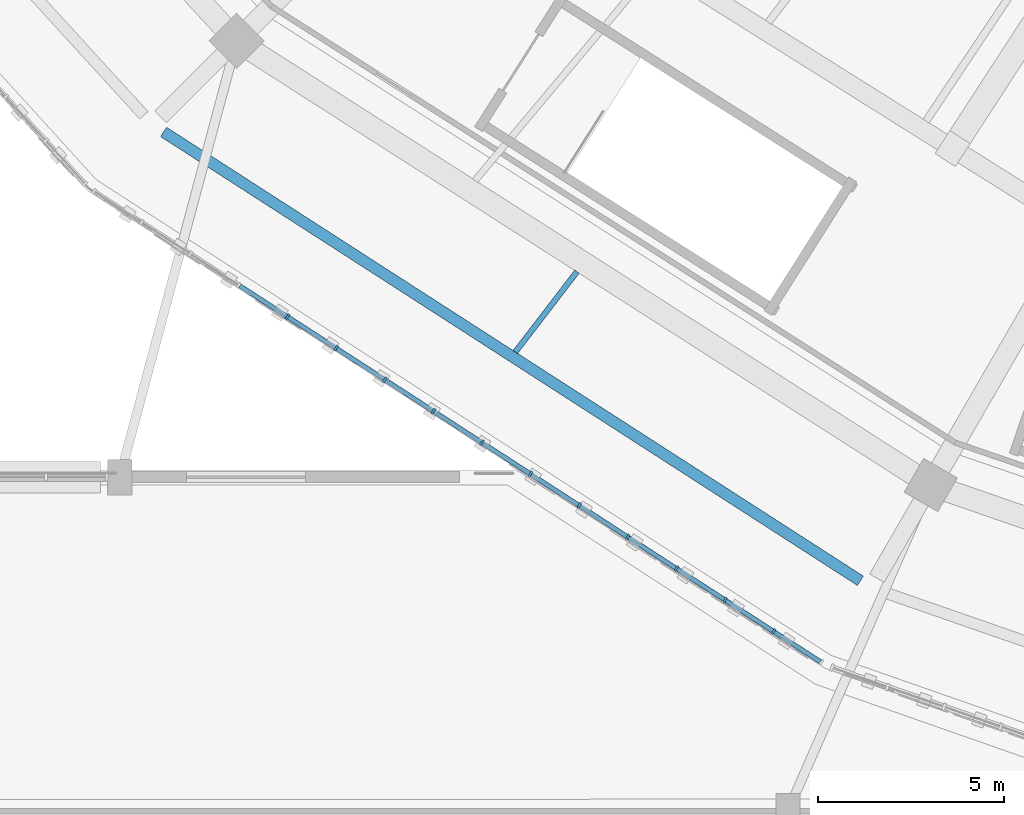
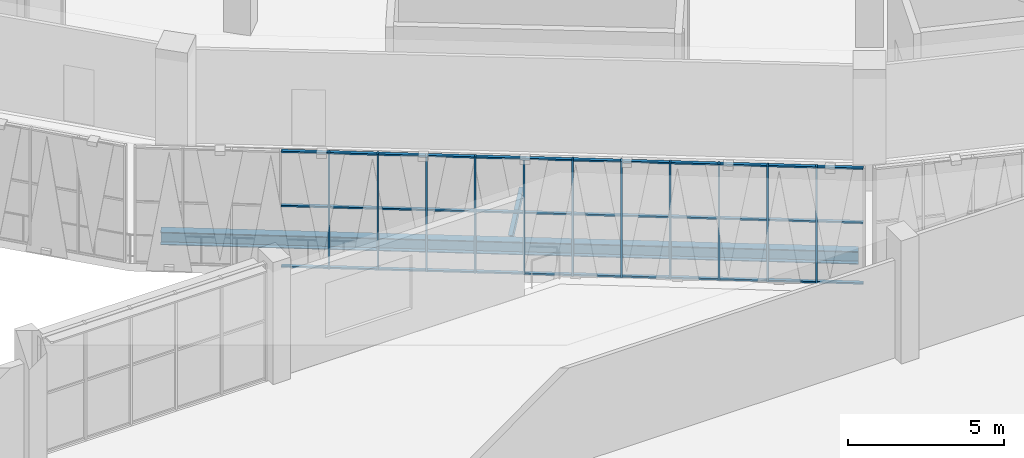
# One storey, part 6 of 152: 47 members, 2 beams, 1 element without a shape of its own.
"""IFC4 building model written with IfcOpenShell, lengths in metres."""

from ifc_helpers import new_model, si_unit, direction, frame, origin, origin_2d, place, context, subcontext, project, spatial, rectangle, i_section, extrude, material, material_profile, profile_set, type_object, element, aggregate, save


model = new_model("IFC4")

# Units and contexts
model_context = context("Model", 3, precision=1e-05, world=origin(), true_north=direction((0.0, 1.0)))
body_context = subcontext(model_context, "Body", "Model", "MODEL_VIEW")
ifc_project = project(units=[si_unit("LENGTHUNIT", "METRE"), si_unit("AREAUNIT", "SQUARE_METRE"), si_unit("VOLUMEUNIT", "CUBIC_METRE"), si_unit("PLANEANGLEUNIT", "RADIAN"), si_unit("MASSUNIT", "GRAM", prefix="KILO")], contexts=[model_context])

# Site, building, storey
site_placement = place(None, origin())
site = spatial("IfcSite", under=ifc_project, at=site_placement, CompositionType="ELEMENT")
building_placement = place(site_placement, origin())
building = spatial("IfcBuilding", under=site, at=building_placement, Name="Zevraka Park Crest Stadium", CompositionType="ELEMENT")
storey_placement = place(building_placement, frame((0.0, 0.0, 15.0)))
storey = spatial("IfcBuildingStorey", under=building, at=storey_placement, Name="L03", CompositionType="ELEMENT", Elevation=15.0)

# Curtain wall, members
ifc_material_1 = material(Name="Anodised architectural aluminium and laminated safety glass", Category="aluminium")
curtain_wall_type = type_object("IfcCurtainWallType", Name="CW13", PredefinedType="NOTDEFINED", material=ifc_material_1)
curtain_wall_placement = place(storey_placement, origin())
curtain_wall = element("IfcCurtainWall", 1, at=curtain_wall_placement, inside=storey, type_object=curtain_wall_type, Name="Unitised Ring Curtain Wall CW13 L03-15", PredefinedType="NOTDEFINED")
ifc_material_2 = material(Name="Anodised architectural aluminium", Category="aluminium")
ifc_material_profile_1 = material_profile(ifc_material_2, rectangle(XDim=0.159912109375, YDim=0.06005859375, at=origin_2d()), Name="ALU MULLION 160x60")
ifc_profile_set_1 = profile_set([ifc_material_profile_1], Name="Anodised architectural aluminium")
member_type_1 = type_object("IfcMemberType", Name="CM01", PredefinedType="MULLION", material=ifc_profile_set_1)
member_1_placement = place(storey_placement, frame((49.518310546875, 31.322998046875, 0.0), z_axis=(0.0, 0.0, 1.0), x_axis=(0.543469160232, 0.839429134517, 0.0)))
member_1 = element("IfcMember", 2, at=member_1_placement, type_object=member_type_1, Name="CW13 mullion 5", PredefinedType="MULLION", context=body_context, shape_type="SweptSolid", body=[
    extrude(rectangle(XDim=0.159912109375, YDim=0.06005859375, at=origin_2d()), origin(), (0.0, 0.0, 1.0), 4.5400390625),
])
member_2_placement = place(storey_placement, frame((50.827880859375, 30.47509765625, 0.0), z_axis=(0.0, 0.0, 1.0), x_axis=(0.543469160232, 0.839429134517, 0.0)))
member_2 = element("IfcMember", 3, at=member_2_placement, type_object=member_type_1, Name="CW13 mullion 6", PredefinedType="MULLION", context=body_context, shape_type="SweptSolid", body=[
    extrude(rectangle(XDim=0.159912109375, YDim=0.06005859375, at=origin_2d()), origin(), (0.0, 0.0, 1.0), 4.5400390625),
])
member_3_placement = place(storey_placement, frame((52.1376953125, 29.626953125, 0.0), z_axis=(0.0, 0.0, 1.0), x_axis=(0.543469160232, 0.839429134517, 0.0)))
member_3 = element("IfcMember", 4, at=member_3_placement, type_object=member_type_1, Name="CW13 mullion 7", PredefinedType="MULLION", context=body_context, shape_type="SweptSolid", body=[
    extrude(rectangle(XDim=0.159912109375, YDim=0.06005859375, at=origin_2d()), origin(), (0.0, 0.0, 1.0), 4.5400390625),
])
member_4_placement = place(storey_placement, frame((53.447509765625, 28.779052734375, 0.0), z_axis=(0.0, 0.0, 1.0), x_axis=(0.543469160232, 0.839429134517, 0.0)))
member_4 = element("IfcMember", 5, at=member_4_placement, type_object=member_type_1, Name="CW13 mullion 8", PredefinedType="MULLION", context=body_context, shape_type="SweptSolid", body=[
    extrude(rectangle(XDim=0.159912109375, YDim=0.06005859375, at=origin_2d()), origin(), (0.0, 0.0, 1.0), 4.5400390625),
])
member_5_placement = place(storey_placement, frame((54.75732421875, 27.930908203125, 0.0), z_axis=(0.0, 0.0, 1.0), x_axis=(0.543469160232, 0.839429134517, 0.0)))
member_5 = element("IfcMember", 6, at=member_5_placement, type_object=member_type_1, Name="CW13 mullion 9", PredefinedType="MULLION", context=body_context, shape_type="SweptSolid", body=[
    extrude(rectangle(XDim=0.159912109375, YDim=0.06005859375, at=origin_2d()), origin(), (0.0, 0.0, 1.0), 4.5400390625),
])
member_6_placement = place(storey_placement, frame((56.067138671875, 27.0830078125, 0.0), z_axis=(0.0, 0.0, 1.0), x_axis=(0.543469160232, 0.839429134517, 0.0)))
member_6 = element("IfcMember", 7, at=member_6_placement, type_object=member_type_1, Name="CW13 mullion 10", PredefinedType="MULLION", context=body_context, shape_type="SweptSolid", body=[
    extrude(rectangle(XDim=0.159912109375, YDim=0.06005859375, at=origin_2d()), origin(), (0.0, 0.0, 1.0), 4.5400390625),
])
member_7_placement = place(storey_placement, frame((57.376953125, 26.235107421875, 0.0), z_axis=(0.0, 0.0, 1.0), x_axis=(0.543469160232, 0.839429134517, 0.0)))
member_7 = element("IfcMember", 8, at=member_7_placement, type_object=member_type_1, Name="CW13 mullion 11", PredefinedType="MULLION", context=body_context, shape_type="SweptSolid", body=[
    extrude(rectangle(XDim=0.159912109375, YDim=0.06005859375, at=origin_2d()), origin(), (0.0, 0.0, 1.0), 4.5400390625),
])
member_8_placement = place(storey_placement, frame((58.686767578125, 25.386962890625, 0.0), z_axis=(0.0, 0.0, 1.0), x_axis=(0.543469160232, 0.839429134517, 0.0)))
member_8 = element("IfcMember", 9, at=member_8_placement, type_object=member_type_1, Name="CW13 mullion 12", PredefinedType="MULLION", context=body_context, shape_type="SweptSolid", body=[
    extrude(rectangle(XDim=0.159912109375, YDim=0.06005859375, at=origin_2d()), origin(), (0.0, 0.0, 1.0), 4.5400390625),
])
member_9_placement = place(storey_placement, frame((59.99658203125, 24.5390625, 0.0), z_axis=(0.0, 0.0, 1.0), x_axis=(0.543469160232, 0.839429134517, 0.0)))
member_9 = element("IfcMember", 10, at=member_9_placement, type_object=member_type_1, Name="CW13 mullion 13", PredefinedType="MULLION", context=body_context, shape_type="SweptSolid", body=[
    extrude(rectangle(XDim=0.159912109375, YDim=0.06005859375, at=origin_2d()), origin(), (0.0, 0.0, 1.0), 4.5400390625),
])
member_10_placement = place(storey_placement, frame((61.306396484375, 23.69091796875, 0.0), z_axis=(0.0, 0.0, 1.0), x_axis=(0.543469160232, 0.839429134517, 0.0)))
member_10 = element("IfcMember", 11, at=member_10_placement, type_object=member_type_1, Name="CW13 mullion 14", PredefinedType="MULLION", context=body_context, shape_type="SweptSolid", body=[
    extrude(rectangle(XDim=0.159912109375, YDim=0.06005859375, at=origin_2d()), origin(), (0.0, 0.0, 1.0), 4.5400390625),
])
member_11_placement = place(storey_placement, frame((62.6162109375, 22.843017578125, 0.0), z_axis=(0.0, 0.0, 1.0), x_axis=(0.543469160232, 0.839429134517, 0.0)))
member_11 = element("IfcMember", 12, at=member_11_placement, type_object=member_type_1, Name="CW13 mullion 15", PredefinedType="MULLION", context=body_context, shape_type="SweptSolid", body=[
    extrude(rectangle(XDim=0.159912109375, YDim=0.06005859375, at=origin_2d()), origin(), (0.0, 0.0, 1.0), 4.5400390625),
])
ifc_material_3 = material(Name="Anodised architectural aluminium", Category="aluminium")
ifc_material_profile_2 = material_profile(ifc_material_3, rectangle(XDim=0.1201171875, YDim=0.06005859375, at=origin_2d()), Name="ALU TRANSOM 120x60")
ifc_profile_set_2 = profile_set([ifc_material_profile_2], Name="Anodised architectural aluminium")
member_type_2 = type_object("IfcMemberType", Name="CT01", PredefinedType="USERDEFINED", material=ifc_profile_set_2)
member_12_placement = place(storey_placement, frame((48.233642578125, 32.15478515625, 0.030029296875), z_axis=(0.839386734847, -0.543534644124, 0.0), x_axis=(0.543534644124, 0.839386734847, 0.0)))
member_12 = element("IfcMember", 13, at=member_12_placement, type_object=member_type_2, Name="CW13 transom 4.1", ObjectType="TRANSOM", PredefinedType="USERDEFINED", context=body_context, shape_type="SweptSolid", body=[
    extrude(rectangle(XDim=0.1201171875, YDim=0.06005859375, at=origin_2d()), origin(), (0.0, 0.0, 1.0), 1.500244140625),
])
member_13_placement = place(storey_placement, frame((48.233642578125, 32.15478515625, 2.39990234375), z_axis=(0.839386734847, -0.543534644124, 0.0), x_axis=(0.543534644124, 0.839386734847, 0.0)))
member_13 = element("IfcMember", 14, at=member_13_placement, type_object=member_type_2, Name="CW13 transom 4.2", ObjectType="TRANSOM", PredefinedType="USERDEFINED", context=body_context, shape_type="SweptSolid", body=[
    extrude(rectangle(XDim=0.1201171875, YDim=0.06005859375, at=origin_2d()), origin(), (0.0, 0.0, 1.0), 1.500244140625),
])
member_14_placement = place(storey_placement, frame((48.233642578125, 32.15478515625, 4.510009765625), z_axis=(0.839386734847, -0.543534644124, 0.0), x_axis=(0.543534644124, 0.839386734847, 0.0)))
member_14 = element("IfcMember", 15, at=member_14_placement, type_object=member_type_2, Name="CW13 transom 4.3", ObjectType="TRANSOM", PredefinedType="USERDEFINED", context=body_context, shape_type="SweptSolid", body=[
    extrude(rectangle(XDim=0.1201171875, YDim=0.06005859375, at=origin_2d()), origin(), (0.0, 0.0, 1.0), 1.500244140625),
])
member_15_placement = place(storey_placement, frame((49.54345703125, 31.306640625, 0.030029296875), z_axis=(0.839386734847, -0.543534644124, 0.0), x_axis=(0.543534644124, 0.839386734847, 0.0)))
member_15 = element("IfcMember", 16, at=member_15_placement, type_object=member_type_2, Name="CW13 transom 5.1", ObjectType="TRANSOM", PredefinedType="USERDEFINED", context=body_context, shape_type="SweptSolid", body=[
    extrude(rectangle(XDim=0.1201171875, YDim=0.06005859375, at=origin_2d()), origin(), (0.0, 0.0, 1.0), 1.500244140625),
])
member_16_placement = place(storey_placement, frame((49.54345703125, 31.306640625, 2.39990234375), z_axis=(0.839386734847, -0.543534644124, 0.0), x_axis=(0.543534644124, 0.839386734847, 0.0)))
member_16 = element("IfcMember", 17, at=member_16_placement, type_object=member_type_2, Name="CW13 transom 5.2", ObjectType="TRANSOM", PredefinedType="USERDEFINED", context=body_context, shape_type="SweptSolid", body=[
    extrude(rectangle(XDim=0.1201171875, YDim=0.06005859375, at=origin_2d()), origin(), (0.0, 0.0, 1.0), 1.500244140625),
])
member_17_placement = place(storey_placement, frame((49.54345703125, 31.306640625, 4.510009765625), z_axis=(0.839386734847, -0.543534644124, 0.0), x_axis=(0.543534644124, 0.839386734847, 0.0)))
member_17 = element("IfcMember", 18, at=member_17_placement, type_object=member_type_2, Name="CW13 transom 5.3", ObjectType="TRANSOM", PredefinedType="USERDEFINED", context=body_context, shape_type="SweptSolid", body=[
    extrude(rectangle(XDim=0.1201171875, YDim=0.06005859375, at=origin_2d()), origin(), (0.0, 0.0, 1.0), 1.500244140625),
])
member_18_placement = place(storey_placement, frame((50.853271484375, 30.458740234375, 0.030029296875), z_axis=(0.839386734847, -0.543534644124, 0.0), x_axis=(0.543534644124, 0.839386734847, 0.0)))
member_18 = element("IfcMember", 19, at=member_18_placement, type_object=member_type_2, Name="CW13 transom 6.1", ObjectType="TRANSOM", PredefinedType="USERDEFINED", context=body_context, shape_type="SweptSolid", body=[
    extrude(rectangle(XDim=0.1201171875, YDim=0.06005859375, at=origin_2d()), origin(), (0.0, 0.0, 1.0), 1.500244140625),
])
member_19_placement = place(storey_placement, frame((50.853271484375, 30.458740234375, 2.39990234375), z_axis=(0.839386734847, -0.543534644124, 0.0), x_axis=(0.543534644124, 0.839386734847, 0.0)))
member_19 = element("IfcMember", 20, at=member_19_placement, type_object=member_type_2, Name="CW13 transom 6.2", ObjectType="TRANSOM", PredefinedType="USERDEFINED", context=body_context, shape_type="SweptSolid", body=[
    extrude(rectangle(XDim=0.1201171875, YDim=0.06005859375, at=origin_2d()), origin(), (0.0, 0.0, 1.0), 1.500244140625),
])
member_20_placement = place(storey_placement, frame((50.853271484375, 30.458740234375, 4.510009765625), z_axis=(0.839386734847, -0.543534644124, 0.0), x_axis=(0.543534644124, 0.839386734847, 0.0)))
member_20 = element("IfcMember", 21, at=member_20_placement, type_object=member_type_2, Name="CW13 transom 6.3", ObjectType="TRANSOM", PredefinedType="USERDEFINED", context=body_context, shape_type="SweptSolid", body=[
    extrude(rectangle(XDim=0.1201171875, YDim=0.06005859375, at=origin_2d()), origin(), (0.0, 0.0, 1.0), 1.500244140625),
])
member_21_placement = place(storey_placement, frame((52.1630859375, 29.610595703125, 0.030029296875), z_axis=(0.839460979075, -0.543419970751, 0.0), x_axis=(0.543419970751, 0.839460979075, 0.0)))
member_21 = element("IfcMember", 22, at=member_21_placement, type_object=member_type_2, Name="CW13 transom 7.1", ObjectType="TRANSOM", PredefinedType="USERDEFINED", context=body_context, shape_type="SweptSolid", body=[
    extrude(rectangle(XDim=0.1201171875, YDim=0.06005859375, at=origin_2d()), origin(), (0.0, 0.0, 1.0), 1.5),
])
member_22_placement = place(storey_placement, frame((52.1630859375, 29.610595703125, 2.39990234375), z_axis=(0.839460979075, -0.543419970751, 0.0), x_axis=(0.543419970751, 0.839460979075, 0.0)))
member_22 = element("IfcMember", 23, at=member_22_placement, type_object=member_type_2, Name="CW13 transom 7.2", ObjectType="TRANSOM", PredefinedType="USERDEFINED", context=body_context, shape_type="SweptSolid", body=[
    extrude(rectangle(XDim=0.1201171875, YDim=0.06005859375, at=origin_2d()), origin(), (0.0, 0.0, 1.0), 1.5),
])
member_23_placement = place(storey_placement, frame((52.1630859375, 29.610595703125, 4.510009765625), z_axis=(0.839460979075, -0.543419970751, 0.0), x_axis=(0.543419970751, 0.839460979075, 0.0)))
member_23 = element("IfcMember", 24, at=member_23_placement, type_object=member_type_2, Name="CW13 transom 7.3", ObjectType="TRANSOM", PredefinedType="USERDEFINED", context=body_context, shape_type="SweptSolid", body=[
    extrude(rectangle(XDim=0.1201171875, YDim=0.06005859375, at=origin_2d()), origin(), (0.0, 0.0, 1.0), 1.5),
])
member_24_placement = place(storey_placement, frame((53.472900390625, 28.7626953125, 0.030029296875), z_axis=(0.839386734847, -0.543534644124, 0.0), x_axis=(0.543534644124, 0.839386734847, 0.0)))
member_24 = element("IfcMember", 25, at=member_24_placement, type_object=member_type_2, Name="CW13 transom 8.1", ObjectType="TRANSOM", PredefinedType="USERDEFINED", context=body_context, shape_type="SweptSolid", body=[
    extrude(rectangle(XDim=0.1201171875, YDim=0.06005859375, at=origin_2d()), origin(), (0.0, 0.0, 1.0), 1.500244140625),
])
member_25_placement = place(storey_placement, frame((53.472900390625, 28.7626953125, 2.39990234375), z_axis=(0.839386734847, -0.543534644124, 0.0), x_axis=(0.543534644124, 0.839386734847, 0.0)))
member_25 = element("IfcMember", 26, at=member_25_placement, type_object=member_type_2, Name="CW13 transom 8.2", ObjectType="TRANSOM", PredefinedType="USERDEFINED", context=body_context, shape_type="SweptSolid", body=[
    extrude(rectangle(XDim=0.1201171875, YDim=0.06005859375, at=origin_2d()), origin(), (0.0, 0.0, 1.0), 1.500244140625),
])
member_26_placement = place(storey_placement, frame((53.472900390625, 28.7626953125, 4.510009765625), z_axis=(0.839386734847, -0.543534644124, 0.0), x_axis=(0.543534644124, 0.839386734847, 0.0)))
member_26 = element("IfcMember", 27, at=member_26_placement, type_object=member_type_2, Name="CW13 transom 8.3", ObjectType="TRANSOM", PredefinedType="USERDEFINED", context=body_context, shape_type="SweptSolid", body=[
    extrude(rectangle(XDim=0.1201171875, YDim=0.06005859375, at=origin_2d()), origin(), (0.0, 0.0, 1.0), 1.500244140625),
])
member_27_placement = place(storey_placement, frame((54.782470703125, 27.914794921875, 0.030029296875), z_axis=(0.839434801762, -0.543460406645, 0.0), x_axis=(0.543460406645, 0.839434801762, 0.0)))
member_27 = element("IfcMember", 28, at=member_27_placement, type_object=member_type_2, Name="CW13 transom 9.1", ObjectType="TRANSOM", PredefinedType="USERDEFINED", context=body_context, shape_type="SweptSolid", body=[
    extrude(rectangle(XDim=0.1201171875, YDim=0.06005859375, at=origin_2d()), origin(), (0.0, 0.0, 1.0), 1.50048828125),
])
member_28_placement = place(storey_placement, frame((54.782470703125, 27.914794921875, 2.39990234375), z_axis=(0.839434801762, -0.543460406645, 0.0), x_axis=(0.543460406645, 0.839434801762, 0.0)))
member_28 = element("IfcMember", 29, at=member_28_placement, type_object=member_type_2, Name="CW13 transom 9.2", ObjectType="TRANSOM", PredefinedType="USERDEFINED", context=body_context, shape_type="SweptSolid", body=[
    extrude(rectangle(XDim=0.1201171875, YDim=0.06005859375, at=origin_2d()), origin(), (0.0, 0.0, 1.0), 1.50048828125),
])
member_29_placement = place(storey_placement, frame((54.782470703125, 27.914794921875, 4.510009765625), z_axis=(0.839434801762, -0.543460406645, 0.0), x_axis=(0.543460406645, 0.839434801762, 0.0)))
member_29 = element("IfcMember", 30, at=member_29_placement, type_object=member_type_2, Name="CW13 transom 9.3", ObjectType="TRANSOM", PredefinedType="USERDEFINED", context=body_context, shape_type="SweptSolid", body=[
    extrude(rectangle(XDim=0.1201171875, YDim=0.06005859375, at=origin_2d()), origin(), (0.0, 0.0, 1.0), 1.50048828125),
])
member_30_placement = place(storey_placement, frame((56.09228515625, 27.066650390625, 0.030029296875), z_axis=(0.839434801762, -0.543460406645, 0.0), x_axis=(0.543460406645, 0.839434801762, 0.0)))
member_30 = element("IfcMember", 31, at=member_30_placement, type_object=member_type_2, Name="CW13 transom 10.1", ObjectType="TRANSOM", PredefinedType="USERDEFINED", context=body_context, shape_type="SweptSolid", body=[
    extrude(rectangle(XDim=0.1201171875, YDim=0.06005859375, at=origin_2d()), origin(), (0.0, 0.0, 1.0), 1.50048828125),
])
member_31_placement = place(storey_placement, frame((56.09228515625, 27.066650390625, 2.39990234375), z_axis=(0.839434801762, -0.543460406645, 0.0), x_axis=(0.543460406645, 0.839434801762, 0.0)))
member_31 = element("IfcMember", 32, at=member_31_placement, type_object=member_type_2, Name="CW13 transom 10.2", ObjectType="TRANSOM", PredefinedType="USERDEFINED", context=body_context, shape_type="SweptSolid", body=[
    extrude(rectangle(XDim=0.1201171875, YDim=0.06005859375, at=origin_2d()), origin(), (0.0, 0.0, 1.0), 1.50048828125),
])
member_32_placement = place(storey_placement, frame((56.09228515625, 27.066650390625, 4.510009765625), z_axis=(0.839434801762, -0.543460406645, 0.0), x_axis=(0.543460406645, 0.839434801762, 0.0)))
member_32 = element("IfcMember", 33, at=member_32_placement, type_object=member_type_2, Name="CW13 transom 10.3", ObjectType="TRANSOM", PredefinedType="USERDEFINED", context=body_context, shape_type="SweptSolid", body=[
    extrude(rectangle(XDim=0.1201171875, YDim=0.06005859375, at=origin_2d()), origin(), (0.0, 0.0, 1.0), 1.50048828125),
])
member_33_placement = place(storey_placement, frame((57.402099609375, 26.21875, 0.030029296875), z_axis=(0.839434801762, -0.543460406645, 0.0), x_axis=(0.543460406645, 0.839434801762, 0.0)))
member_33 = element("IfcMember", 34, at=member_33_placement, type_object=member_type_2, Name="CW13 transom 11.1", ObjectType="TRANSOM", PredefinedType="USERDEFINED", context=body_context, shape_type="SweptSolid", body=[
    extrude(rectangle(XDim=0.1201171875, YDim=0.06005859375, at=origin_2d()), origin(), (0.0, 0.0, 1.0), 1.50048828125),
])
member_34_placement = place(storey_placement, frame((57.402099609375, 26.21875, 2.39990234375), z_axis=(0.839434801762, -0.543460406645, 0.0), x_axis=(0.543460406645, 0.839434801762, 0.0)))
member_34 = element("IfcMember", 35, at=member_34_placement, type_object=member_type_2, Name="CW13 transom 11.2", ObjectType="TRANSOM", PredefinedType="USERDEFINED", context=body_context, shape_type="SweptSolid", body=[
    extrude(rectangle(XDim=0.1201171875, YDim=0.06005859375, at=origin_2d()), origin(), (0.0, 0.0, 1.0), 1.50048828125),
])
member_35_placement = place(storey_placement, frame((57.402099609375, 26.21875, 4.510009765625), z_axis=(0.839434801762, -0.543460406645, 0.0), x_axis=(0.543460406645, 0.839434801762, 0.0)))
member_35 = element("IfcMember", 36, at=member_35_placement, type_object=member_type_2, Name="CW13 transom 11.3", ObjectType="TRANSOM", PredefinedType="USERDEFINED", context=body_context, shape_type="SweptSolid", body=[
    extrude(rectangle(XDim=0.1201171875, YDim=0.06005859375, at=origin_2d()), origin(), (0.0, 0.0, 1.0), 1.50048828125),
])
member_36_placement = place(storey_placement, frame((58.7119140625, 25.37060546875, 0.030029296875), z_axis=(0.839509029958, -0.543345735807, 0.0), x_axis=(0.543345735807, 0.839509029958, 0.0)))
member_36 = element("IfcMember", 37, at=member_36_placement, type_object=member_type_2, Name="CW13 transom 12.1", ObjectType="TRANSOM", PredefinedType="USERDEFINED", context=body_context, shape_type="SweptSolid", body=[
    extrude(rectangle(XDim=0.1201171875, YDim=0.06005859375, at=origin_2d()), origin(), (0.0, 0.0, 1.0), 1.500244140625),
])
member_37_placement = place(storey_placement, frame((58.7119140625, 25.37060546875, 2.39990234375), z_axis=(0.839509029958, -0.543345735807, 0.0), x_axis=(0.543345735807, 0.839509029958, 0.0)))
member_37 = element("IfcMember", 38, at=member_37_placement, type_object=member_type_2, Name="CW13 transom 12.2", ObjectType="TRANSOM", PredefinedType="USERDEFINED", context=body_context, shape_type="SweptSolid", body=[
    extrude(rectangle(XDim=0.1201171875, YDim=0.06005859375, at=origin_2d()), origin(), (0.0, 0.0, 1.0), 1.500244140625),
])
member_38_placement = place(storey_placement, frame((58.7119140625, 25.37060546875, 4.510009765625), z_axis=(0.839509029958, -0.543345735807, 0.0), x_axis=(0.543345735807, 0.839509029958, 0.0)))
member_38 = element("IfcMember", 39, at=member_38_placement, type_object=member_type_2, Name="CW13 transom 12.3", ObjectType="TRANSOM", PredefinedType="USERDEFINED", context=body_context, shape_type="SweptSolid", body=[
    extrude(rectangle(XDim=0.1201171875, YDim=0.06005859375, at=origin_2d()), origin(), (0.0, 0.0, 1.0), 1.500244140625),
])
member_39_placement = place(storey_placement, frame((60.021728515625, 24.522705078125, 0.030029296875), z_axis=(0.839434801762, -0.543460406645, 0.0), x_axis=(0.543460406645, 0.839434801762, 0.0)))
member_39 = element("IfcMember", 40, at=member_39_placement, type_object=member_type_2, Name="CW13 transom 13.1", ObjectType="TRANSOM", PredefinedType="USERDEFINED", context=body_context, shape_type="SweptSolid", body=[
    extrude(rectangle(XDim=0.1201171875, YDim=0.06005859375, at=origin_2d()), origin(), (0.0, 0.0, 1.0), 1.50048828125),
])
member_40_placement = place(storey_placement, frame((60.021728515625, 24.522705078125, 2.39990234375), z_axis=(0.839434801762, -0.543460406645, 0.0), x_axis=(0.543460406645, 0.839434801762, 0.0)))
member_40 = element("IfcMember", 41, at=member_40_placement, type_object=member_type_2, Name="CW13 transom 13.2", ObjectType="TRANSOM", PredefinedType="USERDEFINED", context=body_context, shape_type="SweptSolid", body=[
    extrude(rectangle(XDim=0.1201171875, YDim=0.06005859375, at=origin_2d()), origin(), (0.0, 0.0, 1.0), 1.50048828125),
])
member_41_placement = place(storey_placement, frame((60.021728515625, 24.522705078125, 4.510009765625), z_axis=(0.839434801762, -0.543460406645, 0.0), x_axis=(0.543460406645, 0.839434801762, 0.0)))
member_41 = element("IfcMember", 42, at=member_41_placement, type_object=member_type_2, Name="CW13 transom 13.3", ObjectType="TRANSOM", PredefinedType="USERDEFINED", context=body_context, shape_type="SweptSolid", body=[
    extrude(rectangle(XDim=0.1201171875, YDim=0.06005859375, at=origin_2d()), origin(), (0.0, 0.0, 1.0), 1.50048828125),
])
member_42_placement = place(storey_placement, frame((61.33154296875, 23.6748046875, 0.030029296875), z_axis=(0.839434801762, -0.543460406645, 0.0), x_axis=(0.543460406645, 0.839434801762, 0.0)))
member_42 = element("IfcMember", 43, at=member_42_placement, type_object=member_type_2, Name="CW13 transom 14.1", ObjectType="TRANSOM", PredefinedType="USERDEFINED", context=body_context, shape_type="SweptSolid", body=[
    extrude(rectangle(XDim=0.1201171875, YDim=0.06005859375, at=origin_2d()), origin(), (0.0, 0.0, 1.0), 1.50048828125),
])
member_43_placement = place(storey_placement, frame((61.33154296875, 23.6748046875, 2.39990234375), z_axis=(0.839434801762, -0.543460406645, 0.0), x_axis=(0.543460406645, 0.839434801762, 0.0)))
member_43 = element("IfcMember", 44, at=member_43_placement, type_object=member_type_2, Name="CW13 transom 14.2", ObjectType="TRANSOM", PredefinedType="USERDEFINED", context=body_context, shape_type="SweptSolid", body=[
    extrude(rectangle(XDim=0.1201171875, YDim=0.06005859375, at=origin_2d()), origin(), (0.0, 0.0, 1.0), 1.50048828125),
])
member_44_placement = place(storey_placement, frame((61.33154296875, 23.6748046875, 4.510009765625), z_axis=(0.839434801762, -0.543460406645, 0.0), x_axis=(0.543460406645, 0.839434801762, 0.0)))
member_44 = element("IfcMember", 45, at=member_44_placement, type_object=member_type_2, Name="CW13 transom 14.3", ObjectType="TRANSOM", PredefinedType="USERDEFINED", context=body_context, shape_type="SweptSolid", body=[
    extrude(rectangle(XDim=0.1201171875, YDim=0.06005859375, at=origin_2d()), origin(), (0.0, 0.0, 1.0), 1.50048828125),
])
member_45_placement = place(storey_placement, frame((62.641357421875, 22.82666015625, 0.030029296875), z_axis=(0.839458776454, -0.543423373286, 0.0), x_axis=(0.543423373286, 0.839458776454, 0.0)))
member_45 = element("IfcMember", 46, at=member_45_placement, type_object=member_type_2, Name="CW13 transom 15.1", ObjectType="TRANSOM", PredefinedType="USERDEFINED", context=body_context, shape_type="SweptSolid", body=[
    extrude(rectangle(XDim=0.1201171875, YDim=0.06005859375, at=origin_2d()), origin(), (0.0, 0.0, 1.0), 1.470458984375),
])
member_46_placement = place(storey_placement, frame((62.641357421875, 22.82666015625, 2.39990234375), z_axis=(0.839458776454, -0.543423373286, 0.0), x_axis=(0.543423373286, 0.839458776454, 0.0)))
member_46 = element("IfcMember", 47, at=member_46_placement, type_object=member_type_2, Name="CW13 transom 15.2", ObjectType="TRANSOM", PredefinedType="USERDEFINED", context=body_context, shape_type="SweptSolid", body=[
    extrude(rectangle(XDim=0.1201171875, YDim=0.06005859375, at=origin_2d()), origin(), (0.0, 0.0, 1.0), 1.470458984375),
])
member_47_placement = place(storey_placement, frame((62.641357421875, 22.82666015625, 4.510009765625), z_axis=(0.839458776454, -0.543423373286, 0.0), x_axis=(0.543423373286, 0.839458776454, 0.0)))
member_47 = element("IfcMember", 48, at=member_47_placement, type_object=member_type_2, Name="CW13 transom 15.3", ObjectType="TRANSOM", PredefinedType="USERDEFINED", context=body_context, shape_type="SweptSolid", body=[
    extrude(rectangle(XDim=0.1201171875, YDim=0.06005859375, at=origin_2d()), origin(), (0.0, 0.0, 1.0), 1.470458984375),
])
aggregate(curtain_wall, [member_1, member_2, member_3, member_4, member_5, member_6, member_7, member_8, member_9, member_10, member_11, member_12, member_13, member_14, member_15, member_16, member_17, member_18, member_19, member_20, member_21, member_22, member_23, member_24, member_25, member_26, member_27, member_28, member_29, member_30, member_31, member_32, member_33, member_34, member_35, member_36, member_37, member_38, member_39, member_40, member_41, member_42, member_43, member_44, member_45, member_46, member_47])

# Beams
ifc_material_4 = material(Name="Steel S355", Category="steel")
ifc_material_profile_3 = material_profile(ifc_material_4, i_section(OverallWidth=0.300048828125, OverallDepth=0.5, WebThickness=0.014404296875, FlangeThickness=0.028076171875, at=origin_2d()), Name="HEB 500")
ifc_profile_set_3 = profile_set([ifc_material_profile_3], Name="Steel S355")
beam_type_1 = type_object("IfcBeamType", Name="RB05", PredefinedType="BEAM", material=ifc_profile_set_3)
beam_1_placement = place(storey_placement, frame((46.179931640625, 36.302001953125, -0.60498046875), z_axis=(0.840676981124, -0.541536899396, 0.0), x_axis=(0.541536899396, 0.840676981124, 0.0)))
element("IfcBeam", 49, at=beam_1_placement, inside=storey, type_object=beam_type_1, Name="Ring Beam RB05 L03-E-15", PredefinedType="BEAM", context=body_context, shape_type="SweptSolid", body=[
    extrude(i_section(OverallWidth=0.300048828125, OverallDepth=0.5, WebThickness=0.014404296875, FlangeThickness=0.028076171875, at=origin_2d()), origin(), (0.0, 0.0, 1.0), 22.33447265625),
])
ifc_material_5 = material(Name="Steel S355", Category="steel")
ifc_material_profile_4 = material_profile(ifc_material_5, i_section(OverallWidth=0.14990234375, OverallDepth=0.300048828125, WebThickness=0.007080078125, FlangeThickness=0.0107421875, at=origin_2d()), Name="IPE 300")
ifc_profile_set_4 = profile_set([ifc_material_profile_4], Name="Steel S355")
beam_type_2 = type_object("IfcBeamType", Name="SJ01", PredefinedType="JOIST", material=ifc_profile_set_4)
beam_2_placement = place(storey_placement, frame((57.319091796875, 32.537109375, -0.4580078125), z_axis=(-0.608829249804, -0.793301294959, 0.0), x_axis=(0.793301294959, -0.608829249804, 0.0)))
element("IfcBeam", 50, at=beam_2_placement, inside=storey, type_object=beam_type_2, Name="Floor Joist SJ01 L03-DE-15-1", PredefinedType="JOIST", context=body_context, shape_type="SweptSolid", body=[
    extrude(i_section(OverallWidth=0.14990234375, OverallDepth=0.300048828125, WebThickness=0.007080078125, FlangeThickness=0.0107421875, at=origin_2d()), origin(), (0.0, 0.0, 1.0), 2.731689453125),
])

save(model, "model.ifc")
